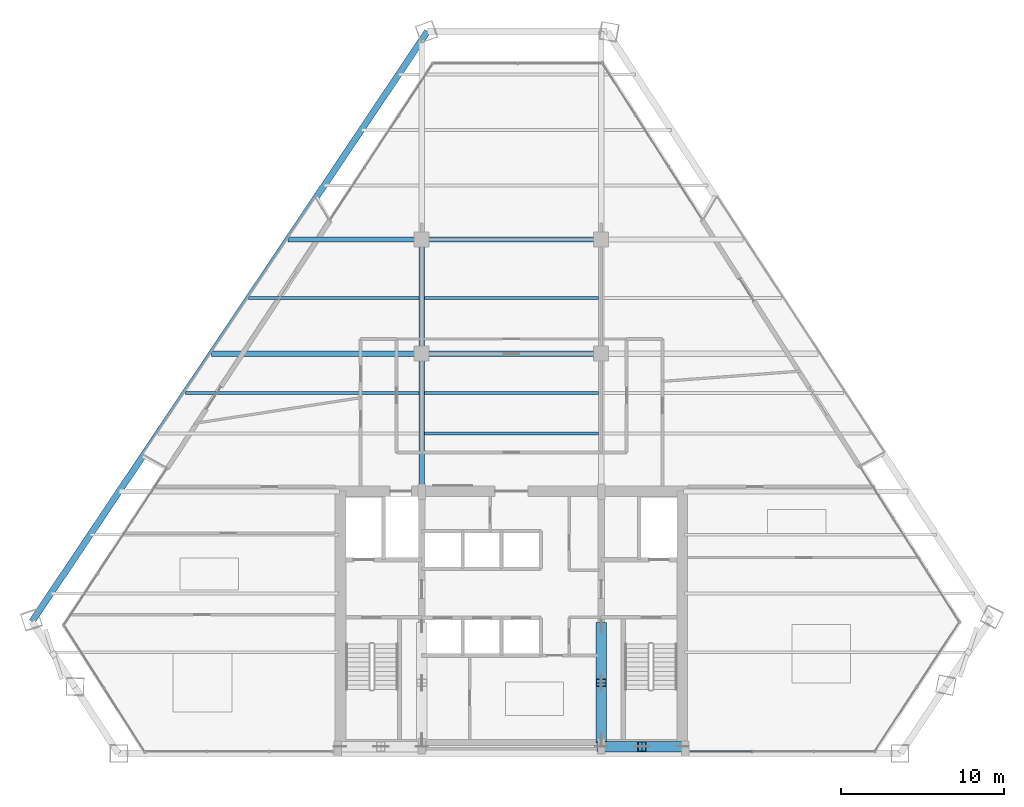
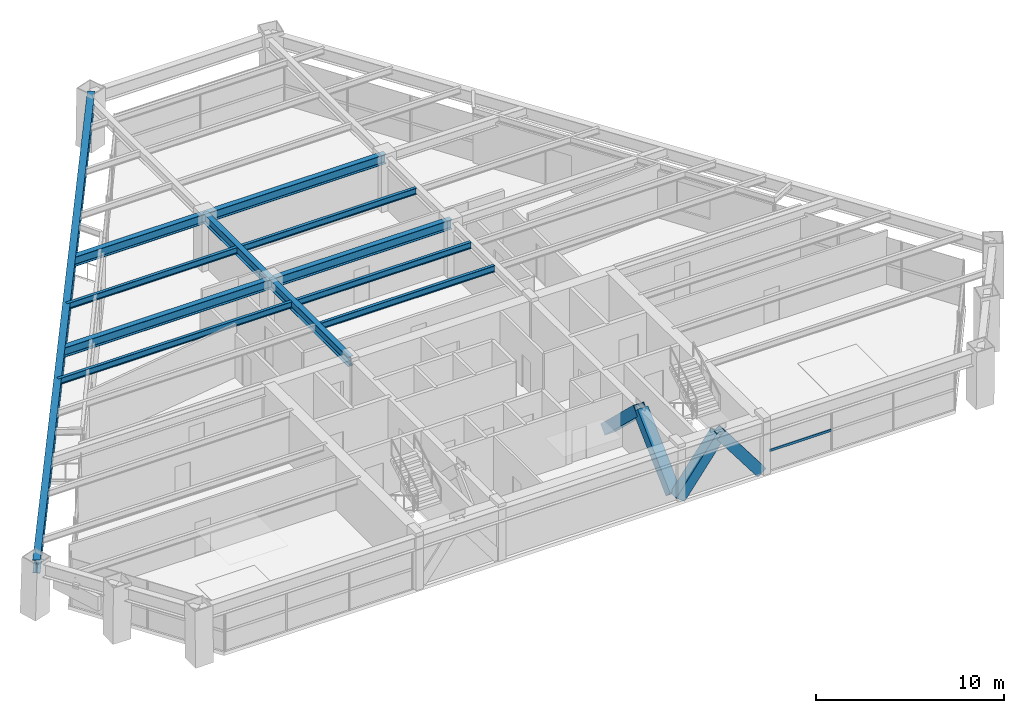
# One storey, part 5 of 14: 12 beams, 5 members, 1 element without a shape of its own.
"""IFC4 building model written with IfcOpenShell, lengths in metres."""

import ifcopenshell
import ifcopenshell.guid

model = None  # the IFC model being written
_history = None  # IfcOwnerHistory: only IFC2X3 demands one
_inside = {}  # id of a spatial element -> (the spatial element, [elements in it])
_under = {}  # id of a project, library or spatial element -> (it, [spatial elements below it])
_declared = {}  # id of a project -> (the project, [libraries it declares])
_typed = {}  # id of a type object -> (the type object, [elements of that type])
_made_of = {}  # id of a material, layer set ... -> (it, [elements and type objects made of it])


def new_model(schema):
    """Start an empty IFC model of exactly this schema.

    Asked for "IFC4X3", IfcOpenShell would pick the latest addendum, in which some entities
    have other attributes; the version numbers below select the first issue.
    IFC2X3 requires an IfcOwnerHistory on every rooted entity: one is made here for all.
    """
    global model, _history
    if schema == "IFC4X3":
        model = ifcopenshell.file(schema_version=(4, 3, 0, 0))
    else:
        model = ifcopenshell.file(schema=schema)
    _inside.clear()
    _under.clear()
    _declared.clear()
    _typed.clear()
    _made_of.clear()
    _history = None
    if model.schema == "IFC2X3":
        org = make("IfcOrganization", Name="unknown")
        user = make(
            "IfcPersonAndOrganization",
            ThePerson=make("IfcPerson", FamilyName="unknown"),
            TheOrganization=org,
        )
        app = make(
            "IfcApplication",
            ApplicationDeveloper=org,
            Version="unknown",
            ApplicationFullName="unknown",
            ApplicationIdentifier="unknown",
        )
        _history = make(
            "IfcOwnerHistory",
            OwningUser=user,
            OwningApplication=app,
            ChangeAction="ADDED",
            CreationDate=0,
        )
    return model


def make(cls, **values):
    """One entity of the class cls with the attributes given. An attribute that is None is left unset."""
    return model.create_entity(
        cls, **{name: value for name, value in values.items() if value is not None}
    )


def rooted(cls, **values):
    """An entity with a GlobalId (a new one), such as an element, a storey or a relation."""
    return make(cls, GlobalId=ifcopenshell.guid.new(), OwnerHistory=_history, **values)


def si_unit(unit_type, name, prefix=None):
    """IfcSIUnit, for example si_unit("LENGTHUNIT", "METRE", prefix="MILLI")."""
    return make("IfcSIUnit", UnitType=unit_type, Prefix=prefix, Name=name)


def assignment(units):
    """IfcUnitAssignment: the units of a project."""
    return None if units is None else make("IfcUnitAssignment", Units=units)


def point(xyz):
    """IfcCartesianPoint."""
    return None if xyz is None else make("IfcCartesianPoint", Coordinates=xyz)


def direction(xyz):
    """IfcDirection."""
    return None if xyz is None else make("IfcDirection", DirectionRatios=xyz)


def frame(location, z_axis=None, x_axis=None):
    """IfcAxis2Placement3D, a coordinate frame: its origin and axes. An axis left out is left unset."""
    return make(
        "IfcAxis2Placement3D",
        Location=point(location),
        Axis=direction(z_axis),
        RefDirection=direction(x_axis),
    )


def frame_2d(location, x_axis=None):
    """IfcAxis2Placement2D, a coordinate frame in the plane: its origin and x axis."""
    return make(
        "IfcAxis2Placement2D", Location=point(location), RefDirection=direction(x_axis)
    )


def origin():
    """The frame at (0, 0, 0) with its axes left unset."""
    return frame((0.0, 0.0, 0.0))


def origin_2d():
    """The frame at (0, 0) in the plane with its x axis left unset."""
    return frame_2d((0.0, 0.0))


def place(relative_to, where):
    """IfcLocalPlacement: puts the frame where relative to a parent placement (None: the world)."""
    return make(
        "IfcLocalPlacement", PlacementRelTo=relative_to, RelativePlacement=where
    )


def context(
    kind, dimensions, precision=None, world=None, true_north=None, identifier=None
):
    """IfcGeometricRepresentationContext, for example the 3D "Model" context."""
    return make(
        "IfcGeometricRepresentationContext",
        ContextIdentifier=identifier,
        ContextType=kind,
        CoordinateSpaceDimension=dimensions,
        Precision=precision,
        WorldCoordinateSystem=world,
        TrueNorth=true_north,
    )


def subcontext(parent, identifier, kind, view, scale=None):
    """IfcGeometricRepresentationSubContext, for example "Body" below "Model"."""
    return make(
        "IfcGeometricRepresentationSubContext",
        ContextIdentifier=identifier,
        ContextType=kind,
        ParentContext=parent,
        TargetScale=scale,
        TargetView=view,
    )


def project(units=None, contexts=None):
    """IfcProject with its units and contexts."""
    return rooted(
        "IfcProject",
        Name="project",
        RepresentationContexts=contexts,
        UnitsInContext=assignment(units),
    )


def spatial(cls, under=None, at=None, **own):
    """A site, building, storey or space (cls), placed at a placement, below another one or the project."""
    s = rooted(cls, ObjectPlacement=at, **own)
    if under is not None:
        _under.setdefault(under.id(), (under, []))[1].append(s)
    return s


def profile(cls, at=None, kind="AREA", **sizes):
    """A parametric profile (cls). Its sizes go by their IFC names, for example OverallWidth=200.0."""
    return make(cls, ProfileType=kind, Position=at, **sizes)


def rectangle(**sizes):
    """IfcRectangleProfileDef."""
    return profile("IfcRectangleProfileDef", **sizes)


def hollow_rectangle(**sizes):
    """IfcRectangleHollowProfileDef."""
    return profile("IfcRectangleHollowProfileDef", **sizes)


def i_section(**sizes):
    """IfcIShapeProfileDef."""
    return profile("IfcIShapeProfileDef", **sizes)


def extrude(swept, where, along, depth):
    """IfcExtrudedAreaSolid: the profile swept, set in the frame where, extruded along a direction by depth."""
    return make(
        "IfcExtrudedAreaSolid",
        SweptArea=swept,
        Position=where,
        ExtrudedDirection=direction(along),
        Depth=depth,
    )


def shape(context_of_items, identifier, shape_type, items):
    """IfcShapeRepresentation: the items that make up one representation, for example the "Body"."""
    return make(
        "IfcShapeRepresentation",
        ContextOfItems=context_of_items,
        RepresentationIdentifier=identifier,
        RepresentationType=shape_type,
        Items=items,
    )


def source(mapping_origin, context_of_items, identifier, shape_type, items):
    """IfcRepresentationMap: a shape defined once, which mapped items show again and again."""
    return make(
        "IfcRepresentationMap",
        MappingOrigin=mapping_origin,
        MappedRepresentation=shape(context_of_items, identifier, shape_type, items),
    )


def transform(
    local_origin,
    x_axis=None,
    y_axis=None,
    z_axis=None,
    scale=None,
    scale2=None,
    scale3=None,
    uniform=True,
):
    """IfcCartesianTransformationOperator3D, or its non-uniform kind. x_axis, y_axis, z_axis: its Axis1, 2, 3."""
    if uniform:
        return make(
            "IfcCartesianTransformationOperator3D",
            Axis1=direction(x_axis),
            Axis2=direction(y_axis),
            LocalOrigin=point(local_origin),
            Scale=scale,
            Axis3=direction(z_axis),
        )
    return make(
        "IfcCartesianTransformationOperator3DnonUniform",
        Axis1=direction(x_axis),
        Axis2=direction(y_axis),
        LocalOrigin=point(local_origin),
        Scale=scale,
        Axis3=direction(z_axis),
        Scale2=scale2,
        Scale3=scale3,
    )


def mapped(mapping_source, mapping_target):
    """IfcMappedItem: shows the shape of a source again, moved by a transform."""
    return make(
        "IfcMappedItem", MappingSource=mapping_source, MappingTarget=mapping_target
    )


def material(Name=None, Category=None):
    """IfcMaterial."""
    return make("IfcMaterial", Name=Name, Category=Category)


def material_profile(
    of_material, cross_section, Name=None, Category=None, Priority=None
):
    """IfcMaterialProfile: a cross section and its material."""
    return make(
        "IfcMaterialProfile",
        Name=Name,
        Material=of_material,
        Profile=cross_section,
        Priority=Priority,
        Category=Category,
    )


def profile_set(profiles, Name=None, composite=None):
    """IfcMaterialProfileSet."""
    return make(
        "IfcMaterialProfileSet",
        Name=Name,
        MaterialProfiles=profiles,
        CompositeProfile=composite,
    )


def made_of(thing, what):
    """Note that an element or type object is made of a material, layer set ...; save() writes the relation."""
    if what is not None:
        _made_of.setdefault(what.id(), (what, []))[1].append(thing)
    return thing


def type_object(cls, material=None, **own):
    """A type object (cls), such as IfcWallType, which elements share."""
    return made_of(rooted(cls, **own), material)


def type_shapes(of_type, sources):
    """Give a type object the sources (RepresentationMaps) that its elements show as mapped items."""
    of_type.RepresentationMaps = sources


def element(
    cls,
    number,
    at=None,
    inside=None,
    cuts=None,
    type_object=None,
    material=None,
    context=None,
    identifier="Body",
    shape_type=None,
    held_by="IfcProductDefinitionShape",
    body=None,
    shapes=None,
    **own,
):
    """One element of the class cls, such as IfcWall. Its Tag is "e" and its number.

    at: its placement. inside: the storey or other place that contains it. cuts: it is an
    opening in that element (IfcRelVoidsElement). A single representation is given by context,
    identifier, shape_type and body (its items); several are given by shapes. held_by: the class
    of the entity that holds the representations. save() writes the other relations.
    """
    e = rooted(cls, Tag="e%d" % number, ObjectPlacement=at, **own)
    if body is not None:
        shapes = [shape(context, identifier, shape_type, body)]
    if shapes is not None:
        e.Representation = make(held_by, Representations=shapes)
    if inside is not None:
        _inside.setdefault(inside.id(), (inside, []))[1].append(e)
    if cuts is not None:
        rooted(
            "IfcRelVoidsElement", RelatingBuildingElement=cuts, RelatedOpeningElement=e
        )
    if type_object is not None:
        _typed.setdefault(type_object.id(), (type_object, []))[1].append(e)
    return made_of(e, material)


def aggregate(whole, parts):
    """IfcRelAggregates: a whole, such as a stair, and the parts it consists of."""
    return rooted("IfcRelAggregates", RelatingObject=whole, RelatedObjects=parts)


def save(model, path):
    """Write the relations noted so far, then the file.

    IfcRelAggregates (storeys below a building ...), IfcRelContainedInSpatialStructure (elements
    in a storey), IfcRelDefinesByType, IfcRelAssociatesMaterial and IfcRelDeclares: one each for
    every whole, place, type object, material and project.
    """
    for whole, parts in _under.values():
        aggregate(whole, parts)
    for where, things in _inside.values():
        rooted(
            "IfcRelContainedInSpatialStructure",
            RelatedElements=things,
            RelatingStructure=where,
        )
    for kind, things in _typed.values():
        rooted("IfcRelDefinesByType", RelatedObjects=things, RelatingType=kind)
    for what, things in _made_of.values():
        rooted("IfcRelAssociatesMaterial", RelatedObjects=things, RelatingMaterial=what)
    for by, libraries in _declared.values():
        rooted("IfcRelDeclares", RelatingContext=by, RelatedDefinitions=libraries)
    model.write(path)


model = new_model("IFC4")

# Units and contexts
model_context = context("Model", 3, precision=1e-05, world=origin(), true_north=direction((0.0, 1.0)))
body_context = subcontext(model_context, "Body", "Model", "MODEL_VIEW")
ifc_project = project(units=[si_unit("LENGTHUNIT", "METRE"), si_unit("AREAUNIT", "SQUARE_METRE"), si_unit("VOLUMEUNIT", "CUBIC_METRE"), si_unit("PLANEANGLEUNIT", "RADIAN"), si_unit("MASSUNIT", "GRAM", prefix="KILO")], contexts=[model_context])

# Site, building, storey
site_placement = place(None, origin())
site = spatial("IfcSite", under=ifc_project, at=site_placement, CompositionType="ELEMENT")
building_placement = place(site_placement, origin())
building = spatial("IfcBuilding", under=site, at=building_placement, Name="Varnakhor Terracotta Tower", CompositionType="ELEMENT")
storey_placement = place(building_placement, frame((0.0, 0.0, 129.300048828125)))
storey = spatial("IfcBuildingStorey", under=building, at=storey_placement, Name="L32", CompositionType="ELEMENT", Elevation=129.300048828125)

# Beams
ifc_material_1 = material(Name="Steel S355", Category="steel")
ifc_material_profile_1 = material_profile(ifc_material_1, i_section(OverallWidth=0.324951171875, OverallDepth=0.615966796875, WebThickness=0.013916015625, FlangeThickness=0.02197265625, FilletRadius=0.01806640625, at=origin_2d()), Name="W24X117")
ifc_profile_set_1 = profile_set([ifc_material_profile_1], Name="Steel S355")
beam_type_1 = type_object("IfcBeamType", Name="BM-W24X117", PredefinedType="BEAM", material=ifc_profile_set_1)
shared_shape_1 = source(origin(), body_context, "Body", "SweptSolid", [
    extrude(i_section(OverallWidth=0.324951171875, OverallDepth=0.615966796875, WebThickness=0.013916015625, FlangeThickness=0.02197265625, FilletRadius=0.01806640625, at=origin_2d()), origin(), (0.0, 0.0, 1.0), 8.449951171875),
])
type_shapes(beam_type_1, [shared_shape_1])
beam_1_placement = place(storey_placement, frame((-5.5, 16.050048828125, 3.161865234375), z_axis=(0.0, 1.0, 0.0), x_axis=(-1.0, 0.0, 0.0)))
element("IfcBeam", 1, at=beam_1_placement, inside=storey, type_object=beam_type_1, Name="L32 Primary Girder NS1-W", PredefinedType="BEAM", context=body_context, shape_type="MappedRepresentation", body=[
    mapped(shared_shape_1, transform((0.0, 0.0, 0.0), scale=1.0)),
])
shared_shape_2 = source(origin(), body_context, "Body", "SweptSolid", [
    extrude(i_section(OverallWidth=0.324951171875, OverallDepth=0.615966796875, WebThickness=0.013916015625, FlangeThickness=0.02197265625, FilletRadius=0.01806640625, at=origin_2d()), origin(), (0.0, 0.0, 1.0), 7.0),
])
beam_2_placement = place(storey_placement, frame((-5.5, 24.5, 3.161865234375), z_axis=(0.0, 1.0, 0.0), x_axis=(-1.0, 0.0, 0.0)))
element("IfcBeam", 2, at=beam_2_placement, inside=storey, type_object=beam_type_1, Name="L32 Primary Girder NS2-W", PredefinedType="BEAM", context=body_context, shape_type="MappedRepresentation", body=[
    mapped(shared_shape_2, transform((0.0, 0.0, 0.0), scale=1.0)),
])
shared_shape_3 = source(origin(), body_context, "Body", "SweptSolid", [
    extrude(i_section(OverallWidth=0.324951171875, OverallDepth=0.615966796875, WebThickness=0.013916015625, FlangeThickness=0.02197265625, FilletRadius=0.01806640625, at=origin_2d()), origin(), (0.0, 0.0, 1.0), 11.0),
])
for number, where, z_axis, x_axis, name in (
    (3, (-5.5, 24.5, 3.161865234375), (1.0, 0.0, 0.0), (0.0, 1.0, 0.0), "L32 Primary Girder EW2-2"),
    (4, (-5.5, 31.5, 3.161865234375), (1.0, 0.0, 0.0), (0.0, 1.0, 0.0), "L32 Primary Girder EW3-2"),
):
    element("IfcBeam", number, at=place(storey_placement, frame(where, z_axis=z_axis, x_axis=x_axis)), inside=storey, type_object=beam_type_1, Name=name, PredefinedType="BEAM", context=body_context, shape_type="MappedRepresentation", body=[
        mapped(shared_shape_3, transform((0.0, 0.0, 0.0), scale=1.0)),
    ])
ifc_material_profile_2 = material_profile(ifc_material_1, i_section(OverallWidth=0.179931640625, OverallDepth=0.4130859375, WebThickness=0.009765625, FlangeThickness=0.01611328125, FilletRadius=0.01806640625, at=origin_2d()), Name="W16X50")
ifc_profile_set_2 = profile_set([ifc_material_profile_2], Name="Steel S355")
beam_type_2 = type_object("IfcBeamType", Name="JST-W16X50", PredefinedType="JOIST", material=ifc_profile_set_2)
shared_shape_4 = source(origin(), body_context, "Body", "SweptSolid", [
    extrude(i_section(OverallWidth=0.179931640625, OverallDepth=0.4130859375, WebThickness=0.009765625, FlangeThickness=0.01611328125, FilletRadius=0.01806640625, at=origin_2d()), origin(), (0.0, 0.0, 1.0), 10.68310546875),
])
for number, where, z_axis, x_axis, name in (
    (5, (-5.341552734375, 19.60009765625, 3.263427734375), (1.0, 0.0, 0.0), (0.0, 1.0, 0.0), "L32 Composite Floor Joist 4-2"),
    (6, (-5.341552734375, 22.10009765625, 3.263427734375), (1.0, 0.0, 0.0), (0.0, 1.0, 0.0), "L32 Composite Floor Joist 5-2"),
    (7, (-5.341552734375, 27.89990234375, 3.263427734375), (1.0, 0.0, 0.0), (0.0, 1.0, 0.0), "L32 Composite Floor Joist 6-2"),
):
    element("IfcBeam", number, at=place(storey_placement, frame(where, z_axis=z_axis, x_axis=x_axis)), inside=storey, type_object=beam_type_2, Name=name, PredefinedType="JOIST", context=body_context, shape_type="MappedRepresentation", body=[
        mapped(shared_shape_4, transform((0.0, 0.0, 0.0), scale=1.0)),
    ])

# Member
ifc_material_2 = material(Name="Steel S460", Category="steel")
ifc_material_profile_3 = material_profile(ifc_material_2, hollow_rectangle(XDim=0.64990234375, YDim=0.64990234375, WallThickness=0.0400390625, at=origin_2d()), Name="HSS650X650X40")
ifc_profile_set_3 = profile_set([ifc_material_profile_3], Name="Steel S460")
member_type_1 = type_object("IfcMemberType", Name="MBR-MEGA-650", PredefinedType="BRACE", material=ifc_profile_set_3)
shared_shape_5 = source(origin(), body_context, "Body", "SweptSolid", [
    extrude(hollow_rectangle(XDim=0.64990234375, YDim=0.64990234375, WallThickness=0.0400390625, at=origin_2d()), origin(), (0.0, 0.0, 1.0), 4.805908203125),
])
member_1_placement = place(storey_placement, frame((5.5, 0.85009765625, 0.0), z_axis=(0.0, 0.723026776832, 0.69082000549), x_axis=(-1.0, 0.0, 0.0)))
element("IfcMember", 8, at=member_1_placement, inside=storey, type_object=member_type_1, Name="L32 Core Coupled Brace CWEA", PredefinedType="BRACE", context=body_context, shape_type="MappedRepresentation", body=[
    mapped(shared_shape_5, transform((0.0, 0.0, 0.0), scale=1.0)),
])

# Beams
ifc_material_profile_4 = material_profile(ifc_material_1, i_section(OverallWidth=0.39990234375, OverallDepth=0.85498046875, WebThickness=0.01806640625, FlangeThickness=0.029052734375, FilletRadius=0.01806640625, at=origin_2d()), Name="W33X201")
ifc_profile_set_4 = profile_set([ifc_material_profile_4], Name="Steel S355")
beam_type_3 = type_object("IfcBeamType", Name="BM-W33X201", PredefinedType="BEAM", material=ifc_profile_set_4)
shared_shape_6 = source(origin(), body_context, "Body", "SweptSolid", [
    extrude(i_section(OverallWidth=0.39990234375, OverallDepth=0.85498046875, WebThickness=0.01806640625, FlangeThickness=0.029052734375, FilletRadius=0.01806640625, at=origin_2d()), origin(), (0.0, 0.0, 1.0), 43.530517578125),
])
beam_3_placement = place(storey_placement, frame((-5.150390625, 44.243896484375, 3.04248046875), z_axis=(-0.556682733303, -0.830725185872, 0.0), x_axis=(0.830725185872, -0.556682733303, 0.0)))
element("IfcBeam", 9, at=beam_3_placement, inside=storey, type_object=beam_type_3, Name="L32 Perimeter Spandrel 6", PredefinedType="BEAM", context=body_context, shape_type="MappedRepresentation", body=[
    mapped(shared_shape_6, transform((0.0, 0.0, 0.0), scale=1.0)),
])
shared_shape_7 = source(origin(), body_context, "Body", "SweptSolid", [
    extrude(i_section(OverallWidth=0.324951171875, OverallDepth=0.615966796875, WebThickness=0.013916015625, FlangeThickness=0.02197265625, FilletRadius=0.01806640625, at=origin_2d()), origin(), (0.0, 0.0, 1.0), 12.881103515625),
])
beam_4_placement = place(storey_placement, frame((-18.381103515625, 24.5, 3.161865234375), z_axis=(1.0, 0.0, 0.0), x_axis=(0.0, 1.0, 0.0)))
element("IfcBeam", 10, at=beam_4_placement, inside=storey, type_object=beam_type_1, Name="L32 Primary Girder EW2-1", PredefinedType="BEAM", context=body_context, shape_type="MappedRepresentation", body=[
    mapped(shared_shape_7, transform((0.0, 0.0, 0.0), scale=1.0)),
])
shared_shape_8 = source(origin(), body_context, "Body", "SweptSolid", [
    extrude(i_section(OverallWidth=0.324951171875, OverallDepth=0.615966796875, WebThickness=0.013916015625, FlangeThickness=0.02197265625, FilletRadius=0.01806640625, at=origin_2d()), origin(), (0.0, 0.0, 1.0), 8.190185546875),
])
beam_5_placement = place(storey_placement, frame((-13.690185546875, 31.5, 3.161865234375), z_axis=(1.0, 0.0, 0.0), x_axis=(0.0, 1.0, 0.0)))
element("IfcBeam", 11, at=beam_5_placement, inside=storey, type_object=beam_type_1, Name="L32 Primary Girder EW3-1", PredefinedType="BEAM", context=body_context, shape_type="MappedRepresentation", body=[
    mapped(shared_shape_8, transform((0.0, 0.0, 0.0), scale=1.0)),
])
shared_shape_9 = source(origin(), body_context, "Body", "SweptSolid", [
    extrude(i_section(OverallWidth=0.179931640625, OverallDepth=0.4130859375, WebThickness=0.009765625, FlangeThickness=0.01611328125, FilletRadius=0.01806640625, at=origin_2d()), origin(), (0.0, 0.0, 1.0), 14.3310546875),
])
beam_6_placement = place(storey_placement, frame((-19.989501953125, 22.10009765625, 3.263427734375), z_axis=(1.0, 0.0, 0.0), x_axis=(0.0, 1.0, 0.0)))
element("IfcBeam", 12, at=beam_6_placement, inside=storey, type_object=beam_type_2, Name="L32 Composite Floor Joist 5-1", PredefinedType="JOIST", context=body_context, shape_type="MappedRepresentation", body=[
    mapped(shared_shape_9, transform((0.0, 0.0, 0.0), scale=1.0)),
])
shared_shape_10 = source(origin(), body_context, "Body", "SweptSolid", [
    extrude(i_section(OverallWidth=0.179931640625, OverallDepth=0.4130859375, WebThickness=0.009765625, FlangeThickness=0.01611328125, FilletRadius=0.01806640625, at=origin_2d()), origin(), (0.0, 0.0, 1.0), 10.4443359375),
])
beam_7_placement = place(storey_placement, frame((-16.102783203125, 27.89990234375, 3.263427734375), z_axis=(1.0, 0.0, 0.0), x_axis=(0.0, 1.0, 0.0)))
element("IfcBeam", 13, at=beam_7_placement, inside=storey, type_object=beam_type_2, Name="L32 Composite Floor Joist 6-1", PredefinedType="JOIST", context=body_context, shape_type="MappedRepresentation", body=[
    mapped(shared_shape_10, transform((0.0, 0.0, 0.0), scale=1.0)),
])

# Members
shared_shape_11 = source(origin(), body_context, "Body", "SweptSolid", [
    extrude(hollow_rectangle(XDim=0.64990234375, YDim=0.64990234375, WallThickness=0.0400390625, at=origin_2d()), origin(), (0.0, 0.0, 1.0), 4.156005859375),
])
for number, where, z_axis, x_axis, name in (
    (14, (5.5, 0.419921875, 0.0), (0.601530923869, 0.0, 0.798849515009), (0.0, 1.0, 0.0), "L32 Core Coupled Brace CSEA"),
    (15, (10.5, 0.419921875, 0.0), (-0.601530923869, 0.0, 0.798849515009), (0.0, -1.0, 0.0), "L32 Core Coupled Brace CSEB"),
):
    element("IfcMember", number, at=place(storey_placement, frame(where, z_axis=z_axis, x_axis=x_axis)), inside=storey, type_object=member_type_1, Name=name, PredefinedType="BRACE", context=body_context, shape_type="MappedRepresentation", body=[
        mapped(shared_shape_11, transform((0.0, 0.0, 0.0), scale=1.0)),
    ])
shared_shape_12 = source(origin(), body_context, "Body", "SweptSolid", [
    extrude(hollow_rectangle(XDim=0.64990234375, YDim=0.64990234375, WallThickness=0.0400390625, at=origin_2d()), origin(), (0.0, 0.0, 1.0), 4.80615234375),
])
member_2_placement = place(storey_placement, frame((5.5, 7.800048828125, 0.0), z_axis=(0.0, -0.723051018573, 0.690794632681), x_axis=(1.0, 0.0, 0.0)))
element("IfcMember", 16, at=member_2_placement, inside=storey, type_object=member_type_1, Name="L32 Core Coupled Brace CWEB", PredefinedType="BRACE", context=body_context, shape_type="MappedRepresentation", body=[
    mapped(shared_shape_12, transform((0.0, 0.0, 0.0), scale=1.0)),
])

# Curtain wall, member
ifc_material_3 = material(Name="Anodised Aluminium Curtain Wall System", Category="aluminium")
curtain_wall_type = type_object("IfcCurtainWallType", Name="CW-SYS-MID-OFFICE", PredefinedType="NOTDEFINED", material=ifc_material_3)
curtain_wall_placement = place(storey_placement, origin())
curtain_wall = element("IfcCurtainWall", 17, at=curtain_wall_placement, inside=storey, type_object=curtain_wall_type, Name="L32 South Wing Curtain Wall SSE", PredefinedType="NOTDEFINED")
ifc_material_4 = material(Name="Anodised Aluminium 6063-T6", Category="aluminium")
ifc_material_profile_5 = material_profile(ifc_material_4, rectangle(XDim=0.070068359375, YDim=0.155029296875, at=origin_2d()), Name="ALU TRANSOM 70x155")
ifc_profile_set_5 = profile_set([ifc_material_profile_5], Name="Anodised Aluminium 6063-T6")
member_type_2 = type_object("IfcMemberType", Name="CWT-03", PredefinedType="USERDEFINED", material=ifc_profile_set_5)
shared_shape_13 = source(origin(), body_context, "Body", "SweptSolid", [
    extrude(rectangle(XDim=0.070068359375, YDim=0.155029296875, at=origin_2d()), origin(), (0.0, 0.0, 1.0), 3.777099609375),
])
member_3_placement = place(storey_placement, frame((14.7470703125, 0.1201171875, 1.281005859375), z_axis=(-1.0, 0.0, 0.0), x_axis=(0.0, -1.0, 0.0)))
member_3 = element("IfcMember", 18, at=member_3_placement, type_object=member_type_2, Name="L32 South Wing Curtain Wall SSE Transom 3", ObjectType="TRANSOM", PredefinedType="USERDEFINED", context=body_context, shape_type="MappedRepresentation", body=[
    mapped(shared_shape_13, transform((0.0, 0.0, 0.0), scale=1.0)),
])
aggregate(curtain_wall, [member_3])

save(model, "model.ifc")
